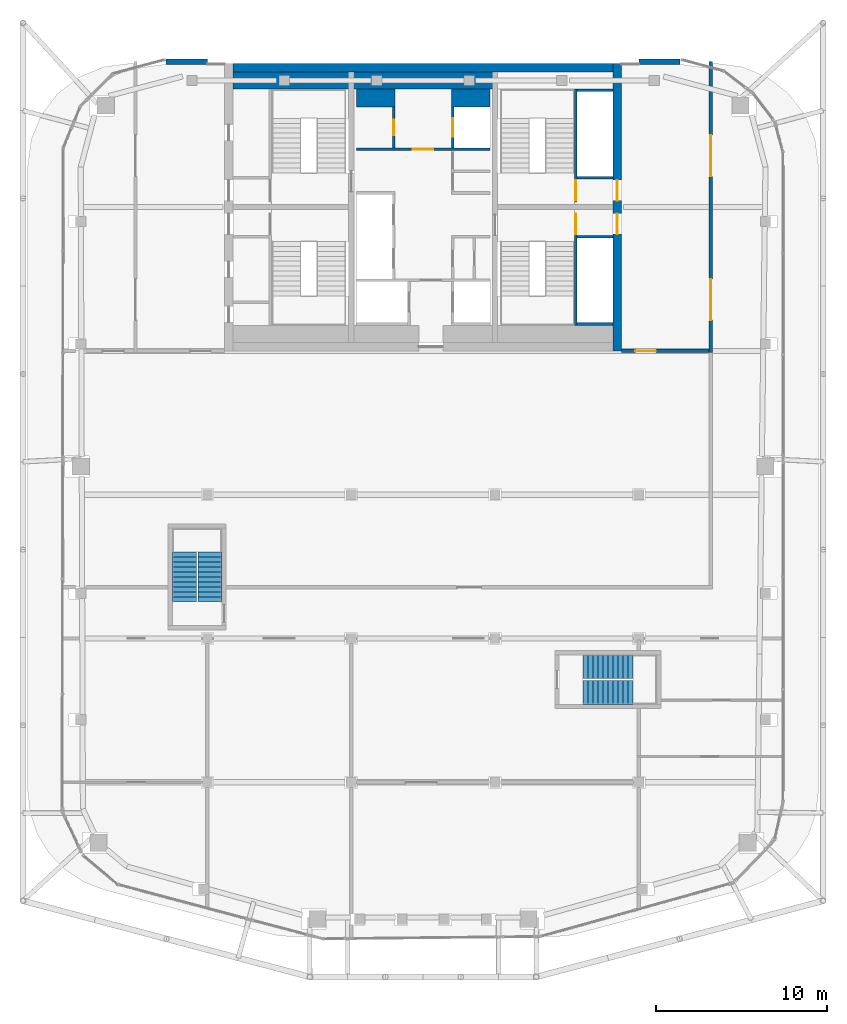
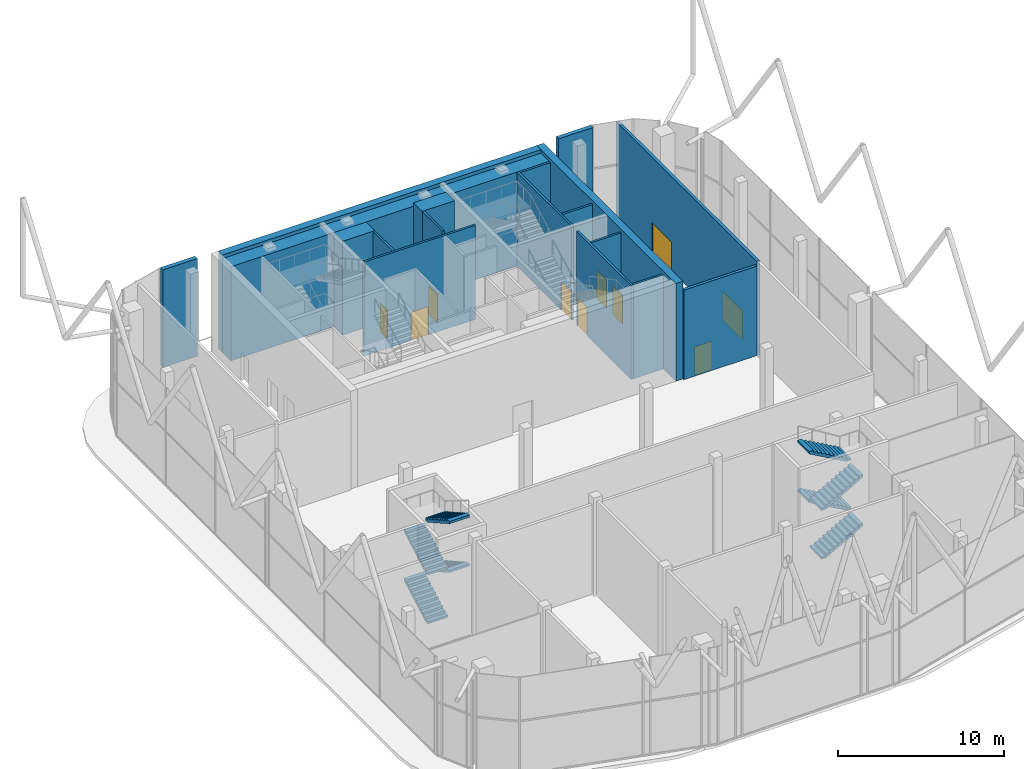
# One storey, part 22 of 25: 18 walls, 10 doors, 8 stair flights, 10 openings, 2 elements without a shape of their own.
"""IFC4 building model written with IfcOpenShell, lengths in metres."""

import ifcopenshell
import ifcopenshell.guid

model = None  # the IFC model being written
_history = None  # IfcOwnerHistory: only IFC2X3 demands one
_inside = {}  # id of a spatial element -> (the spatial element, [elements in it])
_under = {}  # id of a project, library or spatial element -> (it, [spatial elements below it])
_declared = {}  # id of a project -> (the project, [libraries it declares])
_typed = {}  # id of a type object -> (the type object, [elements of that type])
_made_of = {}  # id of a material, layer set ... -> (it, [elements and type objects made of it])


def new_model(schema):
    """Start an empty IFC model of exactly this schema.

    Asked for "IFC4X3", IfcOpenShell would pick the latest addendum, in which some entities
    have other attributes; the version numbers below select the first issue.
    IFC2X3 requires an IfcOwnerHistory on every rooted entity: one is made here for all.
    """
    global model, _history
    if schema == "IFC4X3":
        model = ifcopenshell.file(schema_version=(4, 3, 0, 0))
    else:
        model = ifcopenshell.file(schema=schema)
    _inside.clear()
    _under.clear()
    _declared.clear()
    _typed.clear()
    _made_of.clear()
    _history = None
    if model.schema == "IFC2X3":
        org = make("IfcOrganization", Name="unknown")
        user = make(
            "IfcPersonAndOrganization",
            ThePerson=make("IfcPerson", FamilyName="unknown"),
            TheOrganization=org,
        )
        app = make(
            "IfcApplication",
            ApplicationDeveloper=org,
            Version="unknown",
            ApplicationFullName="unknown",
            ApplicationIdentifier="unknown",
        )
        _history = make(
            "IfcOwnerHistory",
            OwningUser=user,
            OwningApplication=app,
            ChangeAction="ADDED",
            CreationDate=0,
        )
    return model


def make(cls, **values):
    """One entity of the class cls with the attributes given. An attribute that is None is left unset."""
    return model.create_entity(
        cls, **{name: value for name, value in values.items() if value is not None}
    )


def rooted(cls, **values):
    """An entity with a GlobalId (a new one), such as an element, a storey or a relation."""
    return make(cls, GlobalId=ifcopenshell.guid.new(), OwnerHistory=_history, **values)


def si_unit(unit_type, name, prefix=None):
    """IfcSIUnit, for example si_unit("LENGTHUNIT", "METRE", prefix="MILLI")."""
    return make("IfcSIUnit", UnitType=unit_type, Prefix=prefix, Name=name)


def assignment(units):
    """IfcUnitAssignment: the units of a project."""
    return None if units is None else make("IfcUnitAssignment", Units=units)


def point(xyz):
    """IfcCartesianPoint."""
    return None if xyz is None else make("IfcCartesianPoint", Coordinates=xyz)


def direction(xyz):
    """IfcDirection."""
    return None if xyz is None else make("IfcDirection", DirectionRatios=xyz)


def frame(location, z_axis=None, x_axis=None):
    """IfcAxis2Placement3D, a coordinate frame: its origin and axes. An axis left out is left unset."""
    return make(
        "IfcAxis2Placement3D",
        Location=point(location),
        Axis=direction(z_axis),
        RefDirection=direction(x_axis),
    )


def frame_2d(location, x_axis=None):
    """IfcAxis2Placement2D, a coordinate frame in the plane: its origin and x axis."""
    return make(
        "IfcAxis2Placement2D", Location=point(location), RefDirection=direction(x_axis)
    )


def origin():
    """The frame at (0, 0, 0) with its axes left unset."""
    return frame((0.0, 0.0, 0.0))


def place(relative_to, where):
    """IfcLocalPlacement: puts the frame where relative to a parent placement (None: the world)."""
    return make(
        "IfcLocalPlacement", PlacementRelTo=relative_to, RelativePlacement=where
    )


def context(
    kind, dimensions, precision=None, world=None, true_north=None, identifier=None
):
    """IfcGeometricRepresentationContext, for example the 3D "Model" context."""
    return make(
        "IfcGeometricRepresentationContext",
        ContextIdentifier=identifier,
        ContextType=kind,
        CoordinateSpaceDimension=dimensions,
        Precision=precision,
        WorldCoordinateSystem=world,
        TrueNorth=true_north,
    )


def subcontext(parent, identifier, kind, view, scale=None):
    """IfcGeometricRepresentationSubContext, for example "Body" below "Model"."""
    return make(
        "IfcGeometricRepresentationSubContext",
        ContextIdentifier=identifier,
        ContextType=kind,
        ParentContext=parent,
        TargetScale=scale,
        TargetView=view,
    )


def project(units=None, contexts=None):
    """IfcProject with its units and contexts."""
    return rooted(
        "IfcProject",
        Name="project",
        RepresentationContexts=contexts,
        UnitsInContext=assignment(units),
    )


def spatial(cls, under=None, at=None, **own):
    """A site, building, storey or space (cls), placed at a placement, below another one or the project."""
    s = rooted(cls, ObjectPlacement=at, **own)
    if under is not None:
        _under.setdefault(under.id(), (under, []))[1].append(s)
    return s


def polyline(points):
    """IfcPolyline through the points."""
    return make("IfcPolyline", Points=[point(p) for p in points])


def profile(cls, at=None, kind="AREA", **sizes):
    """A parametric profile (cls). Its sizes go by their IFC names, for example OverallWidth=200.0."""
    return make(cls, ProfileType=kind, Position=at, **sizes)


def rectangle(**sizes):
    """IfcRectangleProfileDef."""
    return profile("IfcRectangleProfileDef", **sizes)


def outline(outer, holes=None, kind="AREA"):
    """IfcArbitraryClosedProfileDef: a profile drawn as a closed curve; with holes, ...WithVoids."""
    if holes is None:
        return make("IfcArbitraryClosedProfileDef", ProfileType=kind, OuterCurve=outer)
    return make(
        "IfcArbitraryProfileDefWithVoids",
        ProfileType=kind,
        OuterCurve=outer,
        InnerCurves=holes,
    )


def extrude(swept, where, along, depth):
    """IfcExtrudedAreaSolid: the profile swept, set in the frame where, extruded along a direction by depth."""
    return make(
        "IfcExtrudedAreaSolid",
        SweptArea=swept,
        Position=where,
        ExtrudedDirection=direction(along),
        Depth=depth,
    )


def shape(context_of_items, identifier, shape_type, items):
    """IfcShapeRepresentation: the items that make up one representation, for example the "Body"."""
    return make(
        "IfcShapeRepresentation",
        ContextOfItems=context_of_items,
        RepresentationIdentifier=identifier,
        RepresentationType=shape_type,
        Items=items,
    )


def material(Name=None, Category=None):
    """IfcMaterial."""
    return make("IfcMaterial", Name=Name, Category=Category)


def layer(
    of_material, thickness, ventilated=None, Name=None, Category=None, Priority=None
):
    """IfcMaterialLayer: one layer of a wall or slab, of a material (None: an air gap)."""
    return make(
        "IfcMaterialLayer",
        Material=of_material,
        LayerThickness=thickness,
        IsVentilated=ventilated,
        Name=Name,
        Category=Category,
        Priority=Priority,
    )


def layer_set(layers, Name=None):
    """IfcMaterialLayerSet."""
    return make("IfcMaterialLayerSet", MaterialLayers=layers, LayerSetName=Name)


def made_of(thing, what):
    """Note that an element or type object is made of a material, layer set ...; save() writes the relation."""
    if what is not None:
        _made_of.setdefault(what.id(), (what, []))[1].append(thing)
    return thing


def type_object(cls, material=None, **own):
    """A type object (cls), such as IfcWallType, which elements share."""
    return made_of(rooted(cls, **own), material)


def element(
    cls,
    number,
    at=None,
    inside=None,
    cuts=None,
    type_object=None,
    material=None,
    context=None,
    identifier="Body",
    shape_type=None,
    held_by="IfcProductDefinitionShape",
    body=None,
    shapes=None,
    **own,
):
    """One element of the class cls, such as IfcWall. Its Tag is "e" and its number.

    at: its placement. inside: the storey or other place that contains it. cuts: it is an
    opening in that element (IfcRelVoidsElement). A single representation is given by context,
    identifier, shape_type and body (its items); several are given by shapes. held_by: the class
    of the entity that holds the representations. save() writes the other relations.
    """
    e = rooted(cls, Tag="e%d" % number, ObjectPlacement=at, **own)
    if body is not None:
        shapes = [shape(context, identifier, shape_type, body)]
    if shapes is not None:
        e.Representation = make(held_by, Representations=shapes)
    if inside is not None:
        _inside.setdefault(inside.id(), (inside, []))[1].append(e)
    if cuts is not None:
        rooted(
            "IfcRelVoidsElement", RelatingBuildingElement=cuts, RelatedOpeningElement=e
        )
    if type_object is not None:
        _typed.setdefault(type_object.id(), (type_object, []))[1].append(e)
    return made_of(e, material)


def fill(opening, filler):
    """IfcRelFillsElement: the door or window that sits in an opening."""
    return rooted(
        "IfcRelFillsElement",
        RelatingOpeningElement=opening,
        RelatedBuildingElement=filler,
    )


def aggregate(whole, parts):
    """IfcRelAggregates: a whole, such as a stair, and the parts it consists of."""
    return rooted("IfcRelAggregates", RelatingObject=whole, RelatedObjects=parts)


def save(model, path):
    """Write the relations noted so far, then the file.

    IfcRelAggregates (storeys below a building ...), IfcRelContainedInSpatialStructure (elements
    in a storey), IfcRelDefinesByType, IfcRelAssociatesMaterial and IfcRelDeclares: one each for
    every whole, place, type object, material and project.
    """
    for whole, parts in _under.values():
        aggregate(whole, parts)
    for where, things in _inside.values():
        rooted(
            "IfcRelContainedInSpatialStructure",
            RelatedElements=things,
            RelatingStructure=where,
        )
    for kind, things in _typed.values():
        rooted("IfcRelDefinesByType", RelatedObjects=things, RelatingType=kind)
    for what, things in _made_of.values():
        rooted("IfcRelAssociatesMaterial", RelatedObjects=things, RelatingMaterial=what)
    for by, libraries in _declared.values():
        rooted("IfcRelDeclares", RelatingContext=by, RelatedDefinitions=libraries)
    model.write(path)


model = new_model("IFC4")

# Units and contexts
model_context = context("Model", 3, precision=1e-05, world=origin(), true_north=direction((0.0, 1.0)))
body_context = subcontext(model_context, "Body", "Model", "MODEL_VIEW")
ifc_project = project(units=[si_unit("LENGTHUNIT", "METRE"), si_unit("AREAUNIT", "SQUARE_METRE"), si_unit("VOLUMEUNIT", "CUBIC_METRE"), si_unit("PLANEANGLEUNIT", "RADIAN"), si_unit("MASSUNIT", "GRAM", prefix="KILO")], contexts=[model_context])

# Site, building, storey
site_placement = place(None, origin())
site = spatial("IfcSite", under=ifc_project, at=site_placement, CompositionType="ELEMENT")
building_placement = place(site_placement, origin())
building = spatial("IfcBuilding", under=site, at=building_placement, Name="Marenta Gate Hotel Tower", CompositionType="ELEMENT")
storey_placement = place(building_placement, frame((0.0, 0.0, 281.300048828125)))
storey = spatial("IfcBuildingStorey", under=building, at=storey_placement, Name="L65", CompositionType="ELEMENT", Elevation=281.300048828125)

# Walls
ifc_material_1 = material(Name="Concrete C40 board-marked", Category="concrete")
ifc_layer_1 = layer(ifc_material_1, 0.300048828125)
ifc_layer_set_1 = layer_set([ifc_layer_1], Name="Concrete C40 board-marked")
wall_type_1 = type_object("IfcWallType", Name="Board-marked concrete wall 300 mm", PredefinedType="NOTDEFINED", material=ifc_layer_set_1)
for number, where, z_axis, x_axis, name in (
    (1, (15.005859375, 16.889892578125, 0.0), (0.0, 0.0, 1.0), (-1.0, 0.0, 0.0), "L65-CLD-N00"),
    (2, (-12.60009765625, 16.889892578125, 0.0), (0.0, 0.0, 1.0), (-1.0, 0.0, 0.0), "L65-CLD-N01"),
):
    element("IfcWall", number, at=place(storey_placement, frame(where, z_axis=z_axis, x_axis=x_axis)), inside=storey, type_object=wall_type_1, Name=name, PredefinedType="NOTDEFINED", context=body_context, shape_type="SweptSolid", body=[
        extrude(rectangle(XDim=2.40576171875, YDim=0.300048828125, at=frame_2d((1.202880859375, 0.0))), origin(), (0.0, 0.0, 1.0), 7.199951171875),
    ])

# Wall, openings, doors
ifc_material_2 = material(Name="Concrete blockwork", Category="masonry")
ifc_layer_2 = layer(ifc_material_2, 0.199951171875)
ifc_layer_set_2 = layer_set([ifc_layer_2], Name="Concrete blockwork")
wall_type_2 = type_object("IfcWallType", Name="Core boundary wall 200 REI 180", PredefinedType="PARTITIONING", material=ifc_layer_set_2)
wall_1_placement = place(storey_placement, frame((16.800048828125, -0.10009765625, 0.0), z_axis=(0.0, 0.0, 1.0), x_axis=(0.0, 1.0, 0.0)))
wall_1 = element("IfcWall", 3, at=wall_1_placement, inside=storey, type_object=wall_type_2, Name="L65-CP-BW-E", PredefinedType="PARTITIONING", context=body_context, shape_type="SweptSolid", body=[
    extrude(rectangle(XDim=17.0, YDim=0.199951171875, at=frame_2d((8.5, 0.0))), origin(), (0.0, 0.0, 1.0), 6.93994140625),
])
opening_1_placement = place(wall_1_placement, frame((1.89990234375, 0.0, 0.0)))
opening_1 = element("IfcOpeningElement", 4, at=opening_1_placement, cuts=wall_1, Name="Opening ED-Ea-A", PredefinedType="OPENING", context=body_context, shape_type="SweptSolid", body=[
    extrude(rectangle(XDim=2.39990234375, YDim=2.10009765625, at=frame_2d((1.199951171875, 1.050048828125))), frame((0.0, 0.10009765625, 0.0), z_axis=(0.0, -1.0, 0.0), x_axis=(1.0, 0.0, 0.0)), (0.0, 0.0, 1.0), 0.199951171875),
])
opening_2_placement = place(wall_1_placement, frame((10.300048828125, 0.0, 0.0)))
opening_2 = element("IfcOpeningElement", 5, at=opening_2_placement, cuts=wall_1, Name="Opening ED-Eb-A", PredefinedType="OPENING", context=body_context, shape_type="SweptSolid", body=[
    extrude(rectangle(XDim=2.39990234375, YDim=2.10009765625, at=frame_2d((1.199951171875, 1.050048828125))), frame((0.0, 0.10009765625, 0.0), z_axis=(0.0, -1.0, 0.0), x_axis=(1.0, 0.0, 0.0)), (0.0, 0.0, 1.0), 0.199951171875),
])
ifc_material_3 = material(Name="Steel", Category="steel")
door_type_1 = type_object("IfcDoorType", Name="Core lobby entrance door 2400x2100 EI 60", OperationType="DOUBLE_DOOR_SINGLE_SWING", PredefinedType="DOOR", material=ifc_material_3)
door_1_placement = place(opening_1_placement, origin())
door_1 = element("IfcDoor", 6, at=door_1_placement, inside=storey, type_object=door_type_1, Name="ED-Ea-A", OperationType="DOUBLE_DOOR_SINGLE_SWING", OverallHeight=2.10009765625, OverallWidth=2.39990234375, PredefinedType="DOOR", context=body_context, shape_type="SweptSolid", body=[
    extrude(rectangle(XDim=2.39990234375, YDim=2.10009765625, at=frame_2d((1.199951171875, 1.050048828125))), frame((0.0, 0.02490234375, 0.0), z_axis=(0.0, -1.0, 0.0), x_axis=(1.0, 0.0, 0.0)), (0.0, 0.0, 1.0), 0.050048828125),
])
fill(opening_1, door_1)
door_2_placement = place(opening_2_placement, origin())
door_2 = element("IfcDoor", 7, at=door_2_placement, inside=storey, type_object=door_type_1, Name="ED-Eb-A", OperationType="DOUBLE_DOOR_SINGLE_SWING", OverallHeight=2.10009765625, OverallWidth=2.39990234375, PredefinedType="DOOR", context=body_context, shape_type="SweptSolid", body=[
    extrude(rectangle(XDim=2.39990234375, YDim=2.10009765625, at=frame_2d((1.199951171875, 1.050048828125))), frame((0.0, 0.02490234375, 0.0), z_axis=(0.0, -1.0, 0.0), x_axis=(1.0, 0.0, 0.0)), (0.0, 0.0, 1.0), 0.050048828125),
])
fill(opening_2, door_2)

# Wall, opening, door
wall_2_placement = place(storey_placement, frame((11.60009765625, 0.0, 0.0), z_axis=(0.0, 0.0, 1.0), x_axis=(1.0, 0.0, 0.0)))
wall_2 = element("IfcWall", 8, at=wall_2_placement, inside=storey, type_object=wall_type_2, Name="L65-CP-EW-ES", PredefinedType="PARTITIONING", context=body_context, shape_type="SweptSolid", body=[
    extrude(rectangle(XDim=5.099853515625, YDim=0.199951171875, at=frame_2d((2.5498046875, 0.0))), origin(), (0.0, 0.0, 1.0), 6.599853515625),
])
opening_3_placement = place(wall_2_placement, frame((0.800048828125, 0.0, 0.0)))
opening_3 = element("IfcOpeningElement", 9, at=opening_3_placement, cuts=wall_2, Name="Opening RFD-ES", PredefinedType="OPENING", context=body_context, shape_type="SweptSolid", body=[
    extrude(rectangle(XDim=1.199951171875, YDim=2.10009765625, at=frame_2d((0.60009765625, 1.050048828125))), frame((0.0, 0.10009765625, 0.0), z_axis=(0.0, -1.0, 0.0), x_axis=(1.0, 0.0, 0.0)), (0.0, 0.0, 1.0), 0.199951171875),
])
ifc_material_4 = material(Name="Steel", Category="steel")
door_type_2 = type_object("IfcDoorType", Name="Core lobby door 1200x2100 FD60", OperationType="SINGLE_SWING_LEFT", PredefinedType="DOOR", material=ifc_material_4)
door_3_placement = place(opening_3_placement, origin())
door_3 = element("IfcDoor", 10, at=door_3_placement, inside=storey, type_object=door_type_2, Name="RFD-ES", OperationType="SINGLE_SWING_LEFT", OverallHeight=2.10009765625, OverallWidth=1.199951171875, PredefinedType="DOOR", context=body_context, shape_type="SweptSolid", body=[
    extrude(rectangle(XDim=1.199951171875, YDim=2.10009765625, at=frame_2d((0.60009765625, 1.050048828125))), frame((0.0, 0.02490234375, 0.0), z_axis=(0.0, -1.0, 0.0), x_axis=(1.0, 0.0, 0.0)), (0.0, 0.0, 1.0), 0.050048828125),
])
fill(opening_3, door_3)

# Wall
ifc_material_5 = material(Name="Concrete C40", Category="concrete")
ifc_layer_3 = layer(ifc_material_5, 1.0)
ifc_layer_set_3 = layer_set([ifc_layer_3], Name="Concrete C40")
wall_type_3 = type_object("IfcWallType", Name="Core lining wall 1000 REI 180", PredefinedType="PARTITIONING", material=ifc_layer_set_3)
wall_3_placement = place(storey_placement, frame((-11.10009765625, 15.800048828125, 0.0), z_axis=(0.0, 0.0, 1.0), x_axis=(1.0, 0.0, 0.0)))
element("IfcWall", 11, at=wall_3_placement, inside=storey, type_object=wall_type_3, Name="L65-CP-LN-N", PredefinedType="PARTITIONING", context=body_context, shape_type="SweptSolid", body=[
    extrude(rectangle(XDim=22.2001953125, YDim=1.0, at=frame_2d((11.10009765625, 0.0))), origin(), (0.0, 0.0, 1.0), 6.93994140625),
])

# Wall, opening, door
ifc_material_6 = material(Name="Concrete blockwork", Category="masonry")
ifc_layer_4 = layer(ifc_material_6, 0.14990234375)
ifc_layer_set_4 = layer_set([ifc_layer_4], Name="Concrete blockwork")
wall_type_4 = type_object("IfcWallType", Name="Core lobby partition 150 REI 180", PredefinedType="PARTITIONING", material=ifc_layer_set_4)
wall_4_placement = place(storey_placement, frame((-3.89990234375, 11.77490234375, 0.0), z_axis=(0.0, 0.0, 1.0), x_axis=(1.0, 0.0, 0.0)))
wall_4 = element("IfcWall", 12, at=wall_4_placement, inside=storey, type_object=wall_type_4, Name="L65-CP-CW-N", PredefinedType="PARTITIONING", context=body_context, shape_type="SweptSolid", body=[
    extrude(rectangle(XDim=7.7998046875, YDim=0.14990234375, at=frame_2d((3.89990234375, 0.0))), origin(), (0.0, 0.0, 1.0), 6.93994140625),
])
opening_4_placement = place(wall_4_placement, frame((3.300048828125, 0.0, 0.0)))
opening_4 = element("IfcOpeningElement", 13, at=opening_4_placement, cuts=wall_4, Name="Opening FD-FFN", PredefinedType="OPENING", context=body_context, shape_type="SweptSolid", body=[
    extrude(rectangle(XDim=1.199951171875, YDim=2.10009765625, at=frame_2d((0.60009765625, 1.050048828125))), frame((0.0, 0.074951171875, 0.0), z_axis=(0.0, -1.0, 0.0), x_axis=(1.0, 0.0, 0.0)), (0.0, 0.0, 1.0), 0.14990234375),
])
door_4_placement = place(opening_4_placement, origin())
door_4 = element("IfcDoor", 14, at=door_4_placement, inside=storey, type_object=door_type_2, Name="FD-FFN", OperationType="SINGLE_SWING_LEFT", OverallHeight=2.10009765625, OverallWidth=1.199951171875, PredefinedType="DOOR", context=body_context, shape_type="SweptSolid", body=[
    extrude(rectangle(XDim=1.199951171875, YDim=2.10009765625, at=frame_2d((0.60009765625, 1.050048828125))), frame((0.0, 0.02490234375, 0.0), z_axis=(0.0, -1.0, 0.0), x_axis=(1.0, 0.0, 0.0)), (0.0, 0.0, 1.0), 0.050048828125),
])
fill(opening_4, door_4)

# Wall
ifc_material_7 = material(Name="Concrete blockwork", Category="masonry")
ifc_layer_5 = layer(ifc_material_7, 1.050048828125)
ifc_layer_set_5 = layer_set([ifc_layer_5], Name="Concrete blockwork")
wall_type_5 = type_object("IfcWallType", Name="Core room partition 1050 REI 180", PredefinedType="PARTITIONING", material=ifc_layer_set_5)
wall_5_placement = place(storey_placement, frame((-3.89990234375, 14.77490234375, 0.0), z_axis=(0.0, 0.0, 1.0), x_axis=(1.0, 0.0, 0.0)))
element("IfcWall", 15, at=wall_5_placement, inside=storey, type_object=wall_type_5, Name="L65-CP-CW-W-riser-N", PredefinedType="PARTITIONING", context=body_context, shape_type="SweptSolid", body=[
    extrude(rectangle(XDim=2.25, YDim=1.050048828125, at=frame_2d((1.125, 0.0))), origin(), (0.0, 0.0, 1.0), 6.93994140625),
])

# Wall, opening, door
ifc_material_8 = material(Name="Concrete blockwork", Category="masonry")
ifc_layer_6 = layer(ifc_material_8, 0.14990234375)
ifc_layer_set_6 = layer_set([ifc_layer_6], Name="Concrete blockwork")
wall_type_6 = type_object("IfcWallType", Name="Core room partition 150 REI 180", PredefinedType="PARTITIONING", material=ifc_layer_set_6)
wall_6_placement = place(storey_placement, frame((-1.72509765625, 11.85009765625, 0.0), z_axis=(0.0, 0.0, 1.0), x_axis=(0.0, 1.0, 0.0)))
wall_6 = element("IfcWall", 16, at=wall_6_placement, inside=storey, type_object=wall_type_6, Name="L65-CP-CW-W-riser-front", PredefinedType="PARTITIONING", context=body_context, shape_type="SweptSolid", body=[
    extrude(rectangle(XDim=2.39990234375, YDim=0.14990234375, at=frame_2d((1.199951171875, 0.0))), origin(), (0.0, 0.0, 1.0), 6.93994140625),
])
opening_5_placement = place(wall_6_placement, frame((0.75, 0.0, 0.0)))
opening_5 = element("IfcOpeningElement", 17, at=opening_5_placement, cuts=wall_6, Name="Opening RD-CRISER", PredefinedType="OPENING", context=body_context, shape_type="SweptSolid", body=[
    extrude(rectangle(XDim=0.89990234375, YDim=2.10009765625, at=frame_2d((0.449951171875, 1.050048828125))), frame((0.0, 0.074951171875, 0.0), z_axis=(0.0, -1.0, 0.0), x_axis=(1.0, 0.0, 0.0)), (0.0, 0.0, 1.0), 0.14990234375),
])
ifc_material_9 = material(Name="Steel", Category="steel")
door_type_3 = type_object("IfcDoorType", Name="Core riser door 900x2100 FD60", OperationType="SINGLE_SWING_LEFT", PredefinedType="DOOR", material=ifc_material_9)
door_5_placement = place(opening_5_placement, origin())
door_5 = element("IfcDoor", 18, at=door_5_placement, inside=storey, type_object=door_type_3, Name="RD-CRISER", OperationType="SINGLE_SWING_LEFT", OverallHeight=2.10009765625, OverallWidth=0.89990234375, PredefinedType="DOOR", context=body_context, shape_type="SweptSolid", body=[
    extrude(rectangle(XDim=0.89990234375, YDim=2.10009765625, at=frame_2d((0.449951171875, 1.050048828125))), frame((0.0, 0.02490234375, 0.0), z_axis=(0.0, -1.0, 0.0), x_axis=(1.0, 0.0, 0.0)), (0.0, 0.0, 1.0), 0.050048828125),
])
fill(opening_5, door_5)

# Walls
ifc_material_10 = material(Name="Concrete C40", Category="concrete")
ifc_layer_7 = layer(ifc_material_10, 1.050048828125)
ifc_layer_set_7 = layer_set([ifc_layer_7], Name="Concrete C40")
wall_type_7 = type_object("IfcWallType", Name="Core shaft wall 1050 REI 180", PredefinedType="SHEAR", material=ifc_layer_set_7)
wall_7_placement = place(storey_placement, frame((1.64990234375, 14.77490234375, 0.0), z_axis=(0.0, 0.0, 1.0), x_axis=(1.0, 0.0, 0.0)))
element("IfcWall", 19, at=wall_7_placement, inside=storey, type_object=wall_type_7, Name="L65-SHF-CE-N-top", PredefinedType="SHEAR", context=body_context, shape_type="SweptSolid", body=[
    extrude(rectangle(XDim=2.25, YDim=1.050048828125, at=frame_2d((1.125, 0.0))), origin(), (0.0, 0.0, 1.0), 7.199951171875),
])
ifc_material_11 = material(Name="Concrete C40", Category="concrete")
ifc_layer_8 = layer(ifc_material_11, 0.14990234375)
ifc_layer_set_8 = layer_set([ifc_layer_8], Name="Concrete C40")
wall_type_8 = type_object("IfcWallType", Name="Core shaft wall 150 REI 180", PredefinedType="SHEAR", material=ifc_layer_set_8)
for number, where, z_axis, x_axis, name in (
    (20, (9.0, 6.675048828125, 0.0), (0.0, 0.0, 1.0), (1.0, 0.0, 0.0), "L65-SHF-SW-ES-2"),
    (21, (9.0, 1.574951171875, 0.0), (0.0, 0.0, 1.0), (1.0, 0.0, 0.0), "L65-SHF-SW-ES-5"),
    (22, (9.0, 10.125, 0.0), (0.0, 0.0, 1.0), (1.0, 0.0, 0.0), "L65-SHF-SW-EN-2"),
    (23, (9.0, 15.22509765625, 0.0), (0.0, 0.0, 1.0), (1.0, 0.0, 0.0), "L65-SHF-SW-EN-5"),
):
    element("IfcWall", number, at=place(storey_placement, frame(where, z_axis=z_axis, x_axis=x_axis)), inside=storey, type_object=wall_type_8, Name=name, PredefinedType="SHEAR", context=body_context, shape_type="SweptSolid", body=[
        extrude(rectangle(XDim=2.10009765625, YDim=0.14990234375, at=frame_2d((1.050048828125, 0.0))), origin(), (0.0, 0.0, 1.0), 6.93994140625),
    ])

# Wall, opening, door
wall_8_placement = place(storey_placement, frame((1.72509765625, 11.85009765625, 0.0), z_axis=(0.0, 0.0, 1.0), x_axis=(0.0, 1.0, 0.0)))
wall_8 = element("IfcWall", 24, at=wall_8_placement, inside=storey, type_object=wall_type_8, Name="L65-SHF-CE-N-front2", PredefinedType="SHEAR", context=body_context, shape_type="SweptSolid", body=[
    extrude(rectangle(XDim=2.39990234375, YDim=0.14990234375, at=frame_2d((1.199951171875, 0.0))), origin(), (0.0, 0.0, 1.0), 7.199951171875),
])
opening_6_placement = place(wall_8_placement, frame((0.64990234375, 0.0, 0.0)))
opening_6 = element("IfcOpeningElement", 25, at=opening_6_placement, cuts=wall_8, Name="Opening LD-FF2", PredefinedType="OPENING", context=body_context, shape_type="SweptSolid", body=[
    extrude(rectangle(XDim=1.10009765625, YDim=2.10009765625, at=frame_2d((0.550048828125, 1.050048828125))), frame((0.0, 0.074951171875, 0.0), z_axis=(0.0, -1.0, 0.0), x_axis=(1.0, 0.0, 0.0)), (0.0, 0.0, 1.0), 0.14990234375),
])
ifc_material_12 = material(Name="Steel", Category="steel")
door_type_4 = type_object("IfcDoorType", Name="Core lift landing door 1100x2100 E 60", OperationType="SLIDING_TO_LEFT", PredefinedType="DOOR", material=ifc_material_12)
door_6_placement = place(opening_6_placement, origin())
door_6 = element("IfcDoor", 26, at=door_6_placement, inside=storey, type_object=door_type_4, Name="LD-FF2", OperationType="SLIDING_TO_LEFT", OverallHeight=2.10009765625, OverallWidth=1.10009765625, PredefinedType="DOOR", context=body_context, shape_type="SweptSolid", body=[
    extrude(rectangle(XDim=1.10009765625, YDim=2.10009765625, at=frame_2d((0.550048828125, 1.050048828125))), frame((0.0, 0.02490234375, 0.0), z_axis=(0.0, -1.0, 0.0), x_axis=(1.0, 0.0, 0.0)), (0.0, 0.0, 1.0), 0.050048828125),
])
fill(opening_6, door_6)

ifc_material_13 = material(Name="Concrete C40", Category="concrete")
ifc_layer_9 = layer(ifc_material_13, 0.14990234375)
ifc_layer_set_9 = layer_set([ifc_layer_9], Name="Concrete C40")
wall_type_9 = type_object("IfcWallType", Name="Core stair enclosure wall 150 REI 180", PredefinedType="SHEAR", material=ifc_layer_set_9)
wall_9_placement = place(storey_placement, frame((8.925048828125, 1.5, 0.0), z_axis=(0.0, 0.0, 1.0), x_axis=(0.0, 1.0, 0.0)))
wall_9 = element("IfcWall", 27, at=wall_9_placement, inside=storey, type_object=wall_type_9, Name="L65-SHF-SW-ES-3", PredefinedType="SHEAR", context=body_context, shape_type="SweptSolid", body=[
    extrude(rectangle(XDim=6.60009765625, YDim=0.14990234375, at=frame_2d((3.300048828125, 0.0))), origin(), (0.0, 0.0, 1.0), 6.93994140625),
])
opening_7_placement = place(wall_9_placement, frame((5.324951171875, 0.0, 0.0)))
opening_7 = element("IfcOpeningElement", 28, at=opening_7_placement, cuts=wall_9, Name="Opening SD-ES", PredefinedType="OPENING", context=body_context, shape_type="SweptSolid", body=[
    extrude(rectangle(XDim=1.199951171875, YDim=2.10009765625, at=frame_2d((0.60009765625, 1.050048828125))), frame((0.0, 0.074951171875, 0.0), z_axis=(0.0, -1.0, 0.0), x_axis=(1.0, 0.0, 0.0)), (0.0, 0.0, 1.0), 0.14990234375),
])
ifc_material_14 = material(Name="Steel", Category="steel")
door_type_5 = type_object("IfcDoorType", Name="Core stair door 1200x2100 FD60", OperationType="SINGLE_SWING_LEFT", PredefinedType="DOOR", material=ifc_material_14)
door_7_placement = place(opening_7_placement, origin())
door_7 = element("IfcDoor", 29, at=door_7_placement, inside=storey, type_object=door_type_5, Name="SD-ES", OperationType="SINGLE_SWING_LEFT", OverallHeight=2.10009765625, OverallWidth=1.199951171875, PredefinedType="DOOR", context=body_context, shape_type="SweptSolid", body=[
    extrude(rectangle(XDim=1.199951171875, YDim=2.10009765625, at=frame_2d((0.60009765625, 1.050048828125))), frame((0.0, 0.02490234375, 0.0), z_axis=(0.0, -1.0, 0.0), x_axis=(1.0, 0.0, 0.0)), (0.0, 0.0, 1.0), 0.050048828125),
])
fill(opening_7, door_7)

wall_10_placement = place(storey_placement, frame((8.925048828125, 8.699951171875, 0.0), z_axis=(0.0, 0.0, 1.0), x_axis=(0.0, 1.0, 0.0)))
wall_10 = element("IfcWall", 30, at=wall_10_placement, inside=storey, type_object=wall_type_9, Name="L65-SHF-SW-EN-3", PredefinedType="SHEAR", context=body_context, shape_type="SweptSolid", body=[
    extrude(rectangle(XDim=6.60009765625, YDim=0.14990234375, at=frame_2d((3.300048828125, 0.0))), origin(), (0.0, 0.0, 1.0), 6.93994140625),
])
opening_8_placement = place(wall_10_placement, frame((0.074951171875, 0.0, 0.0)))
opening_8 = element("IfcOpeningElement", 31, at=opening_8_placement, cuts=wall_10, Name="Opening SD-EN", PredefinedType="OPENING", context=body_context, shape_type="SweptSolid", body=[
    extrude(rectangle(XDim=1.199951171875, YDim=2.10009765625, at=frame_2d((0.60009765625, 1.050048828125))), frame((0.0, 0.074951171875, 0.0), z_axis=(0.0, -1.0, 0.0), x_axis=(1.0, 0.0, 0.0)), (0.0, 0.0, 1.0), 0.14990234375),
])
door_8_placement = place(opening_8_placement, origin())
door_8 = element("IfcDoor", 32, at=door_8_placement, inside=storey, type_object=door_type_5, Name="SD-EN", OperationType="SINGLE_SWING_LEFT", OverallHeight=2.10009765625, OverallWidth=1.199951171875, PredefinedType="DOOR", context=body_context, shape_type="SweptSolid", body=[
    extrude(rectangle(XDim=1.199951171875, YDim=2.10009765625, at=frame_2d((0.60009765625, 1.050048828125))), frame((0.0, 0.02490234375, 0.0), z_axis=(0.0, -1.0, 0.0), x_axis=(1.0, 0.0, 0.0)), (0.0, 0.0, 1.0), 0.050048828125),
])
fill(opening_8, door_8)

# Wall, openings, doors
ifc_material_15 = material(Name="Concrete C50", Category="concrete")
ifc_layer_10 = layer(ifc_material_15, 0.5)
ifc_layer_set_10 = layer_set([ifc_layer_10], Name="Concrete C50")
wall_type_10 = type_object("IfcWallType", Name="Core wall 500 C50", PredefinedType="SHEAR", material=ifc_layer_set_10)
wall_11_placement = place(storey_placement, frame((11.35009765625, 0.0, 0.0), z_axis=(0.0, 0.0, 1.0), x_axis=(0.0, 1.0, 0.0)))
wall_11 = element("IfcWall", 33, at=wall_11_placement, inside=storey, type_object=wall_type_10, Name="L65-CORE-E", PredefinedType="SHEAR", context=body_context, shape_type="SweptSolid", body=[
    extrude(rectangle(XDim=16.800048828125, YDim=0.5, at=frame_2d((8.39990234375, 0.0))), origin(), (0.0, 0.0, 1.0), 7.199951171875),
])
opening_9_placement = place(wall_11_placement, frame((6.824951171875, 0.0, 0.0)))
opening_9 = element("IfcOpeningElement", 34, at=opening_9_placement, cuts=wall_11, Name="Opening PD-ES", PredefinedType="OPENING", context=body_context, shape_type="SweptSolid", body=[
    extrude(rectangle(XDim=1.199951171875, YDim=2.10009765625, at=frame_2d((0.60009765625, 1.050048828125))), frame((0.0, 0.25, 0.0), z_axis=(0.0, -1.0, 0.0), x_axis=(1.0, 0.0, 0.0)), (0.0, 0.0, 1.0), 0.5),
])
opening_10_placement = place(wall_11_placement, frame((8.77490234375, 0.0, 0.0)))
opening_10 = element("IfcOpeningElement", 35, at=opening_10_placement, cuts=wall_11, Name="Opening PD-EN", PredefinedType="OPENING", context=body_context, shape_type="SweptSolid", body=[
    extrude(rectangle(XDim=1.199951171875, YDim=2.10009765625, at=frame_2d((0.60009765625, 1.050048828125))), frame((0.0, 0.25, 0.0), z_axis=(0.0, -1.0, 0.0), x_axis=(1.0, 0.0, 0.0)), (0.0, 0.0, 1.0), 0.5),
])
door_9_placement = place(opening_9_placement, origin())
door_9 = element("IfcDoor", 36, at=door_9_placement, inside=storey, type_object=door_type_2, Name="PD-ES", OperationType="SINGLE_SWING_LEFT", OverallHeight=2.10009765625, OverallWidth=1.199951171875, PredefinedType="DOOR", context=body_context, shape_type="SweptSolid", body=[
    extrude(rectangle(XDim=1.199951171875, YDim=2.10009765625, at=frame_2d((0.60009765625, 1.050048828125))), frame((0.0, 0.02490234375, 0.0), z_axis=(0.0, -1.0, 0.0), x_axis=(1.0, 0.0, 0.0)), (0.0, 0.0, 1.0), 0.050048828125),
])
fill(opening_9, door_9)
door_10_placement = place(opening_10_placement, origin())
door_10 = element("IfcDoor", 37, at=door_10_placement, inside=storey, type_object=door_type_2, Name="PD-EN", OperationType="SINGLE_SWING_LEFT", OverallHeight=2.10009765625, OverallWidth=1.199951171875, PredefinedType="DOOR", context=body_context, shape_type="SweptSolid", body=[
    extrude(rectangle(XDim=1.199951171875, YDim=2.10009765625, at=frame_2d((0.60009765625, 1.050048828125))), frame((0.0, 0.02490234375, 0.0), z_axis=(0.0, -1.0, 0.0), x_axis=(1.0, 0.0, 0.0)), (0.0, 0.0, 1.0), 0.050048828125),
])
fill(opening_10, door_10)

# Wall
wall_12_placement = place(storey_placement, frame((-11.10009765625, 16.550048828125, 0.0), z_axis=(0.0, 0.0, 1.0), x_axis=(1.0, 0.0, 0.0)))
element("IfcWall", 38, at=wall_12_placement, inside=storey, type_object=wall_type_10, Name="L65-CORE-N", PredefinedType="SHEAR", context=body_context, shape_type="SweptSolid", body=[
    extrude(rectangle(XDim=22.2001953125, YDim=0.5, at=frame_2d((11.10009765625, 0.0))), origin(), (0.0, 0.0, 1.0), 7.199951171875),
])

# Stair, stair flights
ifc_material_16 = material(Name="Concrete C40", Category="concrete")
stair_type = type_object("IfcStairType", Name="Remote exit stair 1400 wide", PredefinedType="HALF_TURN_STAIR", material=ifc_material_16)
stair_1_placement = place(storey_placement, origin())
stair_1 = element("IfcStair", 39, at=stair_1_placement, inside=storey, type_object=stair_type, Name="Exit stair RS-Z4-1", PredefinedType="HALF_TURN_STAIR")
ifc_material_17 = material(Name="Concrete C40", Category="concrete")
stair_flight_type = type_object("IfcStairFlightType", Name="Remote stair flight 1400 riser 163.6 going 290", PredefinedType="STRAIGHT", material=ifc_material_17)
stair_flight_1_placement = place(storey_placement, frame((9.35009765625, -19.949951171875, 0.0), z_axis=(0.0, 0.0, 1.0), x_axis=(1.0, 0.0, 0.0)))
stair_flight_1 = element("IfcStairFlight", 40, at=stair_flight_1_placement, type_object=stair_flight_type, Name="RS-Z4-1 flight 1", NumberOfRisers=11, NumberOfTreads=10, PredefinedType="STRAIGHT", RiserHeight=0.163636, TreadLength=0.29, context=body_context, shape_type="SweptSolid", body=[
    extrude(outline(polyline([(0.0, 0.0), (0.0, 0.16357421875), (0.2900390625, 0.16357421875), (0.2900390625, 0.327392578125), (0.580078125, 0.327392578125), (0.580078125, 0.490966796875), (0.8701171875, 0.490966796875), (0.8701171875, 0.654541015625), (1.159912109375, 0.654541015625), (1.159912109375, 0.818115234375), (1.449951171875, 0.818115234375), (1.449951171875, 0.98193359375), (1.739990234375, 0.98193359375), (1.739990234375, 1.1455078125), (2.030029296875, 1.1455078125), (2.030029296875, 1.30908203125), (2.320068359375, 1.30908203125), (2.320068359375, 1.47265625), (2.610107421875, 1.47265625), (2.610107421875, 1.636474609375), (2.89990234375, 1.636474609375), (2.89990234375, 1.800048828125), (2.89990234375, 1.46435546875), (0.304931640625, 0.0), (0.0, 0.0)])), frame((0.0, 0.699951171875, 0.0), z_axis=(0.0, -1.0, 0.0), x_axis=(1.0, 0.0, 0.0)), (0.0, 0.0, 1.0), 1.39990234375),
])
stair_flight_2_placement = place(storey_placement, frame((12.25, -18.449951171875, 1.800048828125), z_axis=(0.0, 0.0, 1.0), x_axis=(-1.0, 0.0, 0.0)))
stair_flight_2 = element("IfcStairFlight", 41, at=stair_flight_2_placement, type_object=stair_flight_type, Name="RS-Z4-1 flight 2", NumberOfRisers=11, NumberOfTreads=10, PredefinedType="STRAIGHT", RiserHeight=0.163636, TreadLength=0.29, context=body_context, shape_type="SweptSolid", body=[
    extrude(outline(polyline([(0.0, 0.0), (0.0, 0.16357421875), (0.2900390625, 0.16357421875), (0.2900390625, 0.327392578125), (0.580078125, 0.327392578125), (0.580078125, 0.490966796875), (0.8701171875, 0.490966796875), (0.8701171875, 0.654541015625), (1.159912109375, 0.654541015625), (1.159912109375, 0.818115234375), (1.449951171875, 0.818115234375), (1.449951171875, 0.98193359375), (1.739990234375, 0.98193359375), (1.739990234375, 1.1455078125), (2.030029296875, 1.1455078125), (2.030029296875, 1.30908203125), (2.320068359375, 1.30908203125), (2.320068359375, 1.47265625), (2.610107421875, 1.47265625), (2.610107421875, 1.636474609375), (2.89990234375, 1.636474609375), (2.89990234375, 1.800048828125), (2.89990234375, 1.46435546875), (0.304931640625, 0.0), (0.0, 0.0)])), frame((0.0, 0.699951171875, 0.0), z_axis=(0.0, -1.0, 0.0), x_axis=(1.0, 0.0, 0.0)), (0.0, 0.0, 1.0), 1.39990234375),
])
stair_flight_3_placement = place(storey_placement, frame((9.35009765625, -19.949951171875, 3.599853515625), z_axis=(0.0, 0.0, 1.0), x_axis=(1.0, 0.0, 0.0)))
stair_flight_3 = element("IfcStairFlight", 42, at=stair_flight_3_placement, type_object=stair_flight_type, Name="RS-Z4-1 flight 3", NumberOfRisers=11, NumberOfTreads=10, PredefinedType="STRAIGHT", RiserHeight=0.163636, TreadLength=0.29, context=body_context, shape_type="SweptSolid", body=[
    extrude(outline(polyline([(0.0, 0.0), (0.0, 0.16357421875), (0.2900390625, 0.16357421875), (0.2900390625, 0.327392578125), (0.580078125, 0.327392578125), (0.580078125, 0.490966796875), (0.8701171875, 0.490966796875), (0.8701171875, 0.654541015625), (1.159912109375, 0.654541015625), (1.159912109375, 0.818115234375), (1.449951171875, 0.818115234375), (1.449951171875, 0.98193359375), (1.739990234375, 0.98193359375), (1.739990234375, 1.1455078125), (2.030029296875, 1.1455078125), (2.030029296875, 1.30908203125), (2.320068359375, 1.30908203125), (2.320068359375, 1.47265625), (2.610107421875, 1.47265625), (2.610107421875, 1.636474609375), (2.89990234375, 1.636474609375), (2.89990234375, 1.800048828125), (2.89990234375, 1.46435546875), (0.304931640625, 0.0), (0.0, 0.0)])), frame((0.0, 0.699951171875, 0.0), z_axis=(0.0, -1.0, 0.0), x_axis=(1.0, 0.0, 0.0)), (0.0, 0.0, 1.0), 1.39990234375),
])
stair_flight_4_placement = place(storey_placement, frame((12.25, -18.449951171875, 5.39990234375), z_axis=(0.0, 0.0, 1.0), x_axis=(-1.0, 0.0, 0.0)))
stair_flight_4 = element("IfcStairFlight", 43, at=stair_flight_4_placement, type_object=stair_flight_type, Name="RS-Z4-1 flight 4", NumberOfRisers=11, NumberOfTreads=10, PredefinedType="STRAIGHT", RiserHeight=0.163636, TreadLength=0.29, context=body_context, shape_type="SweptSolid", body=[
    extrude(outline(polyline([(0.0, 0.0), (0.0, 0.16357421875), (0.2900390625, 0.16357421875), (0.2900390625, 0.327392578125), (0.580078125, 0.327392578125), (0.580078125, 0.490966796875), (0.8701171875, 0.490966796875), (0.8701171875, 0.654541015625), (1.159912109375, 0.654541015625), (1.159912109375, 0.818115234375), (1.449951171875, 0.818115234375), (1.449951171875, 0.98193359375), (1.739990234375, 0.98193359375), (1.739990234375, 1.1455078125), (2.030029296875, 1.1455078125), (2.030029296875, 1.30908203125), (2.320068359375, 1.30908203125), (2.320068359375, 1.47265625), (2.610107421875, 1.47265625), (2.610107421875, 1.636474609375), (2.89990234375, 1.636474609375), (2.89990234375, 1.800048828125), (2.89990234375, 1.46435546875), (0.304931640625, 0.0), (0.0, 0.0)])), frame((0.0, 0.699951171875, 0.0), z_axis=(0.0, -1.0, 0.0), x_axis=(1.0, 0.0, 0.0)), (0.0, 0.0, 1.0), 1.39990234375),
])
aggregate(stair_1, [stair_flight_1, stair_flight_2, stair_flight_3, stair_flight_4])

stair_2_placement = place(storey_placement, origin())
stair_2 = element("IfcStair", 44, at=stair_2_placement, inside=storey, type_object=stair_type, Name="Exit stair RS-Z4-2", PredefinedType="HALF_TURN_STAIR")
stair_flight_5_placement = place(storey_placement, frame((-13.949951171875, -14.64990234375, 0.0), z_axis=(0.0, 0.0, 1.0), x_axis=(0.0, 1.0, 0.0)))
stair_flight_5 = element("IfcStairFlight", 45, at=stair_flight_5_placement, type_object=stair_flight_type, Name="RS-Z4-2 flight 1", NumberOfRisers=11, NumberOfTreads=10, PredefinedType="STRAIGHT", RiserHeight=0.163636, TreadLength=0.29, context=body_context, shape_type="SweptSolid", body=[
    extrude(outline(polyline([(0.0, 0.0), (0.0, 0.16357421875), (0.2900390625, 0.16357421875), (0.2900390625, 0.327392578125), (0.580078125, 0.327392578125), (0.580078125, 0.490966796875), (0.8701171875, 0.490966796875), (0.8701171875, 0.654541015625), (1.159912109375, 0.654541015625), (1.159912109375, 0.818115234375), (1.449951171875, 0.818115234375), (1.449951171875, 0.98193359375), (1.739990234375, 0.98193359375), (1.739990234375, 1.1455078125), (2.030029296875, 1.1455078125), (2.030029296875, 1.30908203125), (2.320068359375, 1.30908203125), (2.320068359375, 1.47265625), (2.610107421875, 1.47265625), (2.610107421875, 1.636474609375), (2.89990234375, 1.636474609375), (2.89990234375, 1.800048828125), (2.89990234375, 1.46435546875), (0.304931640625, 0.0), (0.0, 0.0)])), frame((0.0, 0.699951171875, 0.0), z_axis=(0.0, -1.0, 0.0), x_axis=(1.0, 0.0, 0.0)), (0.0, 0.0, 1.0), 1.39990234375),
])
stair_flight_6_placement = place(storey_placement, frame((-12.449951171875, -11.75, 1.800048828125), z_axis=(0.0, 0.0, 1.0), x_axis=(0.0, -1.0, 0.0)))
stair_flight_6 = element("IfcStairFlight", 46, at=stair_flight_6_placement, type_object=stair_flight_type, Name="RS-Z4-2 flight 2", NumberOfRisers=11, NumberOfTreads=10, PredefinedType="STRAIGHT", RiserHeight=0.163636, TreadLength=0.29, context=body_context, shape_type="SweptSolid", body=[
    extrude(outline(polyline([(0.0, 0.0), (0.0, 0.16357421875), (0.2900390625, 0.16357421875), (0.2900390625, 0.327392578125), (0.580078125, 0.327392578125), (0.580078125, 0.490966796875), (0.8701171875, 0.490966796875), (0.8701171875, 0.654541015625), (1.159912109375, 0.654541015625), (1.159912109375, 0.818115234375), (1.449951171875, 0.818115234375), (1.449951171875, 0.98193359375), (1.739990234375, 0.98193359375), (1.739990234375, 1.1455078125), (2.030029296875, 1.1455078125), (2.030029296875, 1.30908203125), (2.320068359375, 1.30908203125), (2.320068359375, 1.47265625), (2.610107421875, 1.47265625), (2.610107421875, 1.636474609375), (2.89990234375, 1.636474609375), (2.89990234375, 1.800048828125), (2.89990234375, 1.46435546875), (0.304931640625, 0.0), (0.0, 0.0)])), frame((0.0, 0.699951171875, 0.0), z_axis=(0.0, -1.0, 0.0), x_axis=(1.0, 0.0, 0.0)), (0.0, 0.0, 1.0), 1.39990234375),
])
stair_flight_7_placement = place(storey_placement, frame((-13.949951171875, -14.64990234375, 3.599853515625), z_axis=(0.0, 0.0, 1.0), x_axis=(0.0, 1.0, 0.0)))
stair_flight_7 = element("IfcStairFlight", 47, at=stair_flight_7_placement, type_object=stair_flight_type, Name="RS-Z4-2 flight 3", NumberOfRisers=11, NumberOfTreads=10, PredefinedType="STRAIGHT", RiserHeight=0.163636, TreadLength=0.29, context=body_context, shape_type="SweptSolid", body=[
    extrude(outline(polyline([(0.0, 0.0), (0.0, 0.16357421875), (0.2900390625, 0.16357421875), (0.2900390625, 0.327392578125), (0.580078125, 0.327392578125), (0.580078125, 0.490966796875), (0.8701171875, 0.490966796875), (0.8701171875, 0.654541015625), (1.159912109375, 0.654541015625), (1.159912109375, 0.818115234375), (1.449951171875, 0.818115234375), (1.449951171875, 0.98193359375), (1.739990234375, 0.98193359375), (1.739990234375, 1.1455078125), (2.030029296875, 1.1455078125), (2.030029296875, 1.30908203125), (2.320068359375, 1.30908203125), (2.320068359375, 1.47265625), (2.610107421875, 1.47265625), (2.610107421875, 1.636474609375), (2.89990234375, 1.636474609375), (2.89990234375, 1.800048828125), (2.89990234375, 1.46435546875), (0.304931640625, 0.0), (0.0, 0.0)])), frame((0.0, 0.699951171875, 0.0), z_axis=(0.0, -1.0, 0.0), x_axis=(1.0, 0.0, 0.0)), (0.0, 0.0, 1.0), 1.39990234375),
])
stair_flight_8_placement = place(storey_placement, frame((-12.449951171875, -11.75, 5.39990234375), z_axis=(0.0, 0.0, 1.0), x_axis=(0.0, -1.0, 0.0)))
stair_flight_8 = element("IfcStairFlight", 48, at=stair_flight_8_placement, type_object=stair_flight_type, Name="RS-Z4-2 flight 4", NumberOfRisers=11, NumberOfTreads=10, PredefinedType="STRAIGHT", RiserHeight=0.163636, TreadLength=0.29, context=body_context, shape_type="SweptSolid", body=[
    extrude(outline(polyline([(0.0, 0.0), (0.0, 0.16357421875), (0.2900390625, 0.16357421875), (0.2900390625, 0.327392578125), (0.580078125, 0.327392578125), (0.580078125, 0.490966796875), (0.8701171875, 0.490966796875), (0.8701171875, 0.654541015625), (1.159912109375, 0.654541015625), (1.159912109375, 0.818115234375), (1.449951171875, 0.818115234375), (1.449951171875, 0.98193359375), (1.739990234375, 0.98193359375), (1.739990234375, 1.1455078125), (2.030029296875, 1.1455078125), (2.030029296875, 1.30908203125), (2.320068359375, 1.30908203125), (2.320068359375, 1.47265625), (2.610107421875, 1.47265625), (2.610107421875, 1.636474609375), (2.89990234375, 1.636474609375), (2.89990234375, 1.800048828125), (2.89990234375, 1.46435546875), (0.304931640625, 0.0), (0.0, 0.0)])), frame((0.0, 0.699951171875, 0.0), z_axis=(0.0, -1.0, 0.0), x_axis=(1.0, 0.0, 0.0)), (0.0, 0.0, 1.0), 1.39990234375),
])
aggregate(stair_2, [stair_flight_5, stair_flight_6, stair_flight_7, stair_flight_8])

save(model, "model.ifc")
